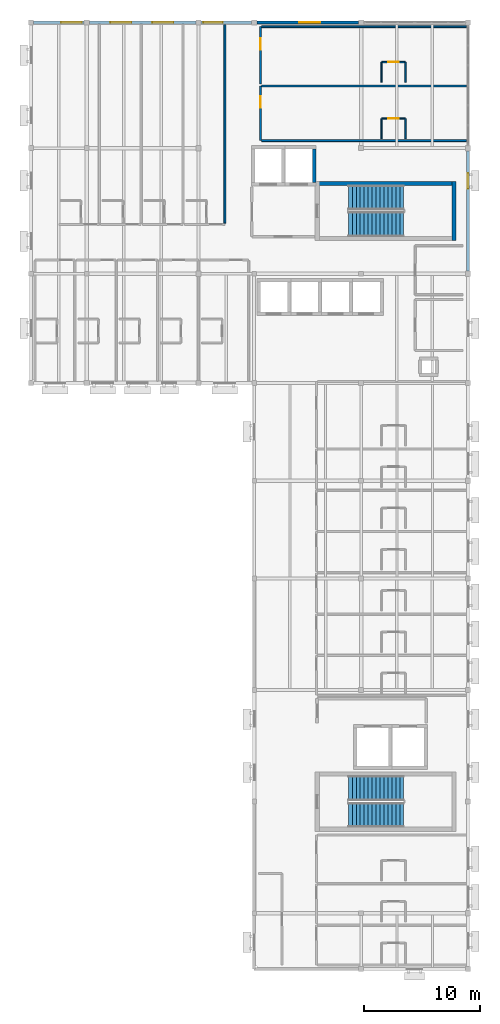
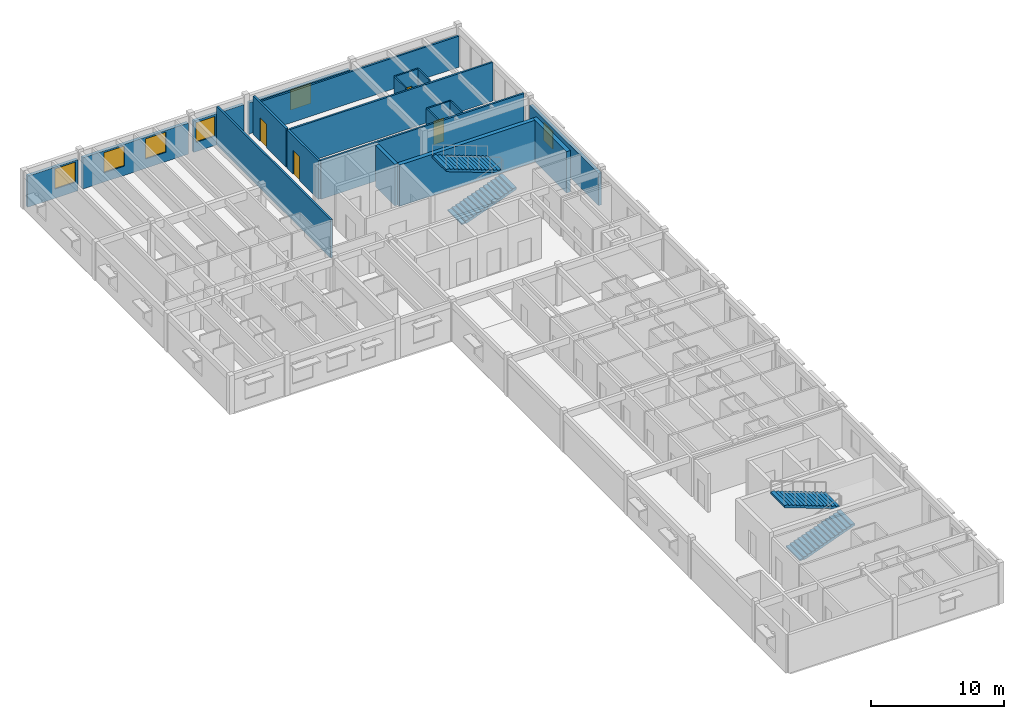
# One storey, part 10 of 14: 20 walls, 6 windows, 4 doors, 4 stair flights, 10 openings, 2 elements without a shape of their own.
"""IFC4 building model written with IfcOpenShell, lengths in metres."""

from ifc_helpers import new_model, si_unit, direction, frame, frame_2d, origin, place, context, subcontext, project, spatial, polyline, rectangle, outline, extrude, material, layer, layer_set, type_object, element, fill, aggregate, save


model = new_model("IFC4")

# Units and contexts
model_context = context("Model", 3, precision=1e-05, world=origin(), true_north=direction((0.0, 1.0)))
body_context = subcontext(model_context, "Body", "Model", "MODEL_VIEW")
ifc_project = project(units=[si_unit("LENGTHUNIT", "METRE"), si_unit("AREAUNIT", "SQUARE_METRE"), si_unit("VOLUMEUNIT", "CUBIC_METRE"), si_unit("PLANEANGLEUNIT", "RADIAN"), si_unit("MASSUNIT", "GRAM", prefix="KILO")], contexts=[model_context])

# Site, building, storey
site_placement = place(None, origin())
site = spatial("IfcSite", under=ifc_project, at=site_placement, CompositionType="ELEMENT")
building_placement = place(site_placement, origin())
building = spatial("IfcBuilding", under=site, at=building_placement, Name="Veldera Park Congress Hotel", CompositionType="ELEMENT")
storey_placement = place(building_placement, frame((0.0, 0.0, 42.800048828125)))
storey = spatial("IfcBuildingStorey", under=building, at=storey_placement, Name="L10", CompositionType="ELEMENT", Elevation=42.800048828125)

# Wall, opening, window
ifc_material_1 = material(Name="Cross-laminated timber CLT V2M1.1", Category="wood")
ifc_layer_1 = layer(ifc_material_1, 0.264892578125)
ifc_layer_set_1 = layer_set([ifc_layer_1], Name="Cross-laminated timber CLT V2M1.1")
wall_type_1 = type_object("IfcWallType", Name="EW-CLT265", PredefinedType="STANDARD", material=ifc_layer_set_1)
wall_1_placement = place(storey_placement, frame((84.0, 36.623046875, 0.0), z_axis=(0.0, 0.0, 1.0), x_axis=(0.0, 1.0, 0.0)))
wall_1 = element("IfcWall", 1, at=wall_1_placement, inside=storey, type_object=wall_type_1, Name="L10 Exterior Wall EW3-L10-0432", PredefinedType="STANDARD", context=body_context, shape_type="SweptSolid", body=[
    extrude(rectangle(XDim=10.35400390625, YDim=0.264892578125, at=frame_2d((5.177001953125, 0.0))), origin(), (0.0, 0.0, 1.0), 2.954833984375),
])
opening_1_placement = place(wall_1_placement, frame((7.090576171875, 0.0, 0.85009765625)))
opening_1 = element("IfcOpeningElement", 2, at=opening_1_placement, cuts=wall_1, Name="Opening WIN-1350", PredefinedType="OPENING", context=body_context, shape_type="SweptSolid", body=[
    extrude(rectangle(XDim=1.35009765625, YDim=1.64990234375, at=frame_2d((0.675048828125, 0.824951171875))), frame((0.0, 0.14453125, 0.0), z_axis=(0.0, -1.0, 0.0), x_axis=(1.0, 0.0, 0.0)), (0.0, 0.0, 1.0), 0.288818359375),
])
ifc_material_2 = material(Name="Low-E Triple Insulating Glass Unit (SHGC 0.22)", Category="glass")
window_type_1 = type_object("IfcWindowType", Name="WIN-1350", PartitioningType="SINGLE_PANEL", PredefinedType="WINDOW", material=ifc_material_2)
window_1_placement = place(opening_1_placement, origin())
window_1 = element("IfcWindow", 3, at=window_1_placement, inside=storey, type_object=window_type_1, Name="L10 Window WIN-1350 332", OverallHeight=1.64990234375, OverallWidth=1.35009765625, PartitioningType="SINGLE_PANEL", PredefinedType="WINDOW", context=body_context, shape_type="SweptSolid", body=[
    extrude(rectangle(XDim=1.35009765625, YDim=1.64990234375, at=frame_2d((0.675048828125, 0.824951171875))), frame((0.0, 0.030029296875, 0.0), z_axis=(0.0, -1.0, 0.0), x_axis=(1.0, 0.0, 0.0)), (0.0, 0.0, 1.0), 0.06005859375),
])
fill(opening_1, window_1)

wall_2_placement = place(storey_placement, frame((74.576904296875, 58.0, 0.0), z_axis=(0.0, 0.0, 1.0), x_axis=(-1.0, 0.0, 0.0)))
wall_2 = element("IfcWall", 4, at=wall_2_placement, inside=storey, type_object=wall_type_1, Name="L10 Exterior Wall EW3-L10-0433", PredefinedType="STANDARD", context=body_context, shape_type="SweptSolid", body=[
    extrude(rectangle(XDim=8.75390625, YDim=0.264892578125, at=frame_2d((4.376953125, 0.0))), origin(), (0.0, 0.0, 1.0), 2.85498046875),
])
opening_2_placement = place(wall_2_placement, frame((3.3134765625, 0.0, 0.85009765625)))
opening_2 = element("IfcOpeningElement", 5, at=opening_2_placement, cuts=wall_2, Name="Opening WIN-1800", PredefinedType="OPENING", context=body_context, shape_type="SweptSolid", body=[
    extrude(rectangle(XDim=1.800048828125, YDim=1.85009765625, at=frame_2d((0.89990234375, 0.925048828125))), frame((0.0, 0.14453125, 0.0), z_axis=(0.0, -1.0, 0.0), x_axis=(1.0, 0.0, 0.0)), (0.0, 0.0, 1.0), 0.288818359375),
])
window_type_2 = type_object("IfcWindowType", Name="WIN-1800", PartitioningType="SINGLE_PANEL", PredefinedType="WINDOW", material=ifc_material_2)
window_2_placement = place(opening_2_placement, origin())
window_2 = element("IfcWindow", 6, at=window_2_placement, inside=storey, type_object=window_type_2, Name="L10 Window WIN-1800 591", OverallHeight=1.85009765625, OverallWidth=1.800048828125, PartitioningType="SINGLE_PANEL", PredefinedType="WINDOW", context=body_context, shape_type="SweptSolid", body=[
    extrude(rectangle(XDim=1.800048828125, YDim=1.85009765625, at=frame_2d((0.89990234375, 0.925048828125))), frame((0.0, 0.030029296875, 0.0), z_axis=(0.0, -1.0, 0.0), x_axis=(1.0, 0.0, 0.0)), (0.0, 0.0, 1.0), 0.06005859375),
])
fill(opening_2, window_2)

wall_3_placement = place(storey_placement, frame((65.376953125, 58.0, 0.0), z_axis=(0.0, 0.0, 1.0), x_axis=(-1.0, 0.0, 0.0)))
wall_3 = element("IfcWall", 7, at=wall_3_placement, inside=storey, type_object=wall_type_1, Name="L10 Exterior Wall EW3-L10-0434", PredefinedType="STANDARD", context=body_context, shape_type="SweptSolid", body=[
    extrude(rectangle(XDim=4.35400390625, YDim=0.264892578125, at=frame_2d((2.177001953125, 0.0))), origin(), (0.0, 0.0, 1.0), 2.85498046875),
])
opening_3_placement = place(wall_3_placement, frame((2.50048828125, 0.0, 0.85009765625)))
opening_3 = element("IfcOpeningElement", 8, at=opening_3_placement, cuts=wall_3, Name="Opening WIN-1650", PredefinedType="OPENING", context=body_context, shape_type="SweptSolid", body=[
    extrude(rectangle(XDim=1.64990234375, YDim=1.800048828125, at=frame_2d((0.824951171875, 0.89990234375))), frame((0.0, 0.14453125, 0.0), z_axis=(0.0, -1.0, 0.0), x_axis=(1.0, 0.0, 0.0)), (0.0, 0.0, 1.0), 0.288818359375),
])
window_type_3 = type_object("IfcWindowType", Name="WIN-1650", PartitioningType="SINGLE_PANEL", PredefinedType="WINDOW", material=ifc_material_2)
window_3_placement = place(opening_3_placement, origin())
window_3 = element("IfcWindow", 9, at=window_3_placement, inside=storey, type_object=window_type_3, Name="L10 Window WIN-1650 595", OverallHeight=1.800048828125, OverallWidth=1.64990234375, PartitioningType="SINGLE_PANEL", PredefinedType="WINDOW", context=body_context, shape_type="SweptSolid", body=[
    extrude(rectangle(XDim=1.64990234375, YDim=1.800048828125, at=frame_2d((0.824951171875, 0.89990234375))), frame((0.0, 0.030029296875, 0.0), z_axis=(0.0, -1.0, 0.0), x_axis=(1.0, 0.0, 0.0)), (0.0, 0.0, 1.0), 0.06005859375),
])
fill(opening_3, window_3)

# Wall, openings, windows
wall_4_placement = place(storey_placement, frame((60.576904296875, 58.0, 0.0), z_axis=(0.0, 0.0, 1.0), x_axis=(-1.0, 0.0, 0.0)))
wall_4 = element("IfcWall", 10, at=wall_4_placement, inside=storey, type_object=wall_type_1, Name="L10 Exterior Wall EW3-L10-0435", PredefinedType="STANDARD", context=body_context, shape_type="SweptSolid", body=[
    extrude(rectangle(XDim=9.15380859375, YDim=0.264892578125, at=frame_2d((4.576904296875, 0.0))), origin(), (0.0, 0.0, 1.0), 2.85498046875),
])
opening_4_placement = place(wall_4_placement, frame((5.537109375, 0.0, 0.85009765625)))
opening_4 = element("IfcOpeningElement", 11, at=opening_4_placement, cuts=wall_4, Name="Opening WIN-1800", PredefinedType="OPENING", context=body_context, shape_type="SweptSolid", body=[
    extrude(rectangle(XDim=1.800048828125, YDim=1.85009765625, at=frame_2d((0.89990234375, 0.925048828125))), frame((0.0, 0.14453125, 0.0), z_axis=(0.0, -1.0, 0.0), x_axis=(1.0, 0.0, 0.0)), (0.0, 0.0, 1.0), 0.288818359375),
])
opening_5_placement = place(wall_4_placement, frame((1.93701171875, 0.0, 0.85009765625)))
opening_5 = element("IfcOpeningElement", 12, at=opening_5_placement, cuts=wall_4, Name="Opening WIN-1800", PredefinedType="OPENING", context=body_context, shape_type="SweptSolid", body=[
    extrude(rectangle(XDim=1.800048828125, YDim=1.85009765625, at=frame_2d((0.89990234375, 0.925048828125))), frame((0.0, 0.14453125, 0.0), z_axis=(0.0, -1.0, 0.0), x_axis=(1.0, 0.0, 0.0)), (0.0, 0.0, 1.0), 0.288818359375),
])
window_4_placement = place(opening_4_placement, origin())
window_4 = element("IfcWindow", 13, at=window_4_placement, inside=storey, type_object=window_type_2, Name="L10 Window WIN-1800 593", OverallHeight=1.85009765625, OverallWidth=1.800048828125, PartitioningType="SINGLE_PANEL", PredefinedType="WINDOW", context=body_context, shape_type="SweptSolid", body=[
    extrude(rectangle(XDim=1.800048828125, YDim=1.85009765625, at=frame_2d((0.89990234375, 0.925048828125))), frame((0.0, 0.030029296875, 0.0), z_axis=(0.0, -1.0, 0.0), x_axis=(1.0, 0.0, 0.0)), (0.0, 0.0, 1.0), 0.06005859375),
])
fill(opening_4, window_4)
window_5_placement = place(opening_5_placement, origin())
window_5 = element("IfcWindow", 14, at=window_5_placement, inside=storey, type_object=window_type_2, Name="L10 Window WIN-1800 594", OverallHeight=1.85009765625, OverallWidth=1.800048828125, PartitioningType="SINGLE_PANEL", PredefinedType="WINDOW", context=body_context, shape_type="SweptSolid", body=[
    extrude(rectangle(XDim=1.800048828125, YDim=1.85009765625, at=frame_2d((0.89990234375, 0.925048828125))), frame((0.0, 0.030029296875, 0.0), z_axis=(0.0, -1.0, 0.0), x_axis=(1.0, 0.0, 0.0)), (0.0, 0.0, 1.0), 0.06005859375),
])
fill(opening_5, window_5)

# Wall, opening, window
wall_5_placement = place(storey_placement, frame((50.97705078125, 58.0, 0.0), z_axis=(0.0, 0.0, 1.0), x_axis=(-1.0, 0.0, 0.0)))
wall_5 = element("IfcWall", 15, at=wall_5_placement, inside=storey, type_object=wall_type_1, Name="L10 Exterior Wall EW3-L10-0436", PredefinedType="STANDARD", context=body_context, shape_type="SweptSolid", body=[
    extrude(rectangle(XDim=4.35400390625, YDim=0.264892578125, at=frame_2d((2.177001953125, 0.0))), origin(), (0.0, 0.0, 1.0), 2.85498046875),
])
opening_6_placement = place(wall_5_placement, frame((0.1884765625, 0.0, 0.85009765625)))
opening_6 = element("IfcOpeningElement", 16, at=opening_6_placement, cuts=wall_5, Name="Opening WIN-1800", PredefinedType="OPENING", context=body_context, shape_type="SweptSolid", body=[
    extrude(rectangle(XDim=1.800048828125, YDim=1.85009765625, at=frame_2d((0.89990234375, 0.925048828125))), frame((0.0, 0.14453125, 0.0), z_axis=(0.0, -1.0, 0.0), x_axis=(1.0, 0.0, 0.0)), (0.0, 0.0, 1.0), 0.288818359375),
])
window_6_placement = place(opening_6_placement, origin())
window_6 = element("IfcWindow", 17, at=window_6_placement, inside=storey, type_object=window_type_2, Name="L10 Window WIN-1800 592", OverallHeight=1.85009765625, OverallWidth=1.800048828125, PartitioningType="SINGLE_PANEL", PredefinedType="WINDOW", context=body_context, shape_type="SweptSolid", body=[
    extrude(rectangle(XDim=1.800048828125, YDim=1.85009765625, at=frame_2d((0.89990234375, 0.925048828125))), frame((0.0, 0.030029296875, 0.0), z_axis=(0.0, -1.0, 0.0), x_axis=(1.0, 0.0, 0.0)), (0.0, 0.0, 1.0), 0.06005859375),
])
fill(opening_6, window_6)

# Walls
ifc_material_3 = material(Name="Fire-Rated Gypsum Board on Cold-Formed Steel Studs", Category="steel")
ifc_layer_2 = layer(ifc_material_3, 0.1201171875)
ifc_layer_set_2 = layer_set([ifc_layer_2], Name="Fire-Rated Gypsum Board on Cold-Formed Steel Studs")
wall_type_2 = type_object("IfcWallType", Name="IW-BATH120", PredefinedType="PARTITIONING", material=ifc_layer_set_2)
for number, where, z_axis, x_axis, name in (
    (18, (76.550048828125, 48.0, 0.0), (0.0, 0.0, 1.0), (0.0, 1.0, 0.0), "L10 Partition Wall IW3-L10-01769"),
    (19, (78.60009765625, 48.0, 0.0), (0.0, 0.0, 1.0), (0.0, 1.0, 0.0), "L10 Partition Wall IW3-L10-01770"),
):
    element("IfcWall", number, at=place(storey_placement, frame(where, z_axis=z_axis, x_axis=x_axis)), inside=storey, type_object=wall_type_2, Name=name, PredefinedType="PARTITIONING", context=body_context, shape_type="SweptSolid", body=[
        extrude(rectangle(XDim=1.75, YDim=0.1201171875, at=frame_2d((0.875, 0.0))), origin(), (0.0, 0.0, 1.0), 3.5400390625),
    ])

# Wall, opening, door
wall_6_placement = place(storey_placement, frame((76.550048828125, 49.75, 0.0), z_axis=(0.0, 0.0, 1.0), x_axis=(1.0, 0.0, 0.0)))
wall_6 = element("IfcWall", 20, at=wall_6_placement, inside=storey, type_object=wall_type_2, Name="L10 Partition Wall IW3-L10-01771", PredefinedType="PARTITIONING", context=body_context, shape_type="SweptSolid", body=[
    extrude(rectangle(XDim=2.050048828125, YDim=0.1201171875, at=frame_2d((1.02490234375, 0.0))), origin(), (0.0, 0.0, 1.0), 3.5400390625),
])
opening_7_placement = place(wall_6_placement, frame((0.574951171875, 0.0, 0.0)))
opening_7 = element("IfcOpeningElement", 21, at=opening_7_placement, cuts=wall_6, Name="Opening ID-BATH090", PredefinedType="OPENING", context=body_context, shape_type="SweptSolid", body=[
    extrude(rectangle(XDim=0.89990234375, YDim=2.14990234375, at=frame_2d((0.449951171875, 1.074951171875))), frame((0.0, 0.072021484375, 0.0), z_axis=(0.0, -1.0, 0.0), x_axis=(1.0, 0.0, 0.0)), (0.0, 0.0, 1.0), 0.14404296875),
])
ifc_material_4 = material(Name="Solid Core White Oak Architectural Door", Category="wood")
door_type_1 = type_object("IfcDoorType", Name="ID-BATH090", OperationType="NOTDEFINED", PredefinedType="DOOR", material=ifc_material_4)
door_1_placement = place(opening_7_placement, origin())
door_1 = element("IfcDoor", 22, at=door_1_placement, inside=storey, type_object=door_type_1, Name="L10 En-suite 293 Door ID3-L10-0725 (DR3-ID3-L10-0725)", OperationType="SINGLE_SWING_LEFT", OverallHeight=2.14990234375, OverallWidth=0.89990234375, PredefinedType="DOOR", context=body_context, shape_type="SweptSolid", body=[
    extrude(rectangle(XDim=0.89990234375, YDim=2.14990234375, at=frame_2d((0.449951171875, 1.074951171875))), frame((0.0, 0.02490234375, 0.0), z_axis=(0.0, -1.0, 0.0), x_axis=(1.0, 0.0, 0.0)), (0.0, 0.0, 1.0), 0.050048828125),
])
fill(opening_7, door_1)

# Walls
for number, where, z_axis, x_axis, name in (
    (23, (76.550048828125, 52.85009765625, 0.0), (0.0, 0.0, 1.0), (0.0, 1.0, 0.0), "L10 Partition Wall IW3-L10-01774"),
    (24, (78.60009765625, 52.85009765625, 0.0), (0.0, 0.0, 1.0), (0.0, 1.0, 0.0), "L10 Partition Wall IW3-L10-01775"),
):
    element("IfcWall", number, at=place(storey_placement, frame(where, z_axis=z_axis, x_axis=x_axis)), inside=storey, type_object=wall_type_2, Name=name, PredefinedType="PARTITIONING", context=body_context, shape_type="SweptSolid", body=[
        extrude(rectangle(XDim=1.75, YDim=0.1201171875, at=frame_2d((0.875, 0.0))), origin(), (0.0, 0.0, 1.0), 3.5400390625),
    ])

# Wall, opening, door
wall_7_placement = place(storey_placement, frame((76.550048828125, 54.60009765625, 0.0), z_axis=(0.0, 0.0, 1.0), x_axis=(1.0, 0.0, 0.0)))
wall_7 = element("IfcWall", 25, at=wall_7_placement, inside=storey, type_object=wall_type_2, Name="L10 Partition Wall IW3-L10-01776", PredefinedType="PARTITIONING", context=body_context, shape_type="SweptSolid", body=[
    extrude(rectangle(XDim=2.050048828125, YDim=0.1201171875, at=frame_2d((1.02490234375, 0.0))), origin(), (0.0, 0.0, 1.0), 3.5400390625),
])
opening_8_placement = place(wall_7_placement, frame((0.574951171875, 0.0, 0.0)))
opening_8 = element("IfcOpeningElement", 26, at=opening_8_placement, cuts=wall_7, Name="Opening ID-BATH090", PredefinedType="OPENING", context=body_context, shape_type="SweptSolid", body=[
    extrude(rectangle(XDim=0.89990234375, YDim=2.14990234375, at=frame_2d((0.449951171875, 1.074951171875))), frame((0.0, 0.072021484375, 0.0), z_axis=(0.0, -1.0, 0.0), x_axis=(1.0, 0.0, 0.0)), (0.0, 0.0, 1.0), 0.14404296875),
])
door_2_placement = place(opening_8_placement, origin())
door_2 = element("IfcDoor", 27, at=door_2_placement, inside=storey, type_object=door_type_1, Name="L10 En-suite 294 Door ID3-L10-0727 (DR3-ID3-L10-0727)", OperationType="SINGLE_SWING_LEFT", OverallHeight=2.14990234375, OverallWidth=0.89990234375, PredefinedType="DOOR", context=body_context, shape_type="SweptSolid", body=[
    extrude(rectangle(XDim=0.89990234375, YDim=2.14990234375, at=frame_2d((0.449951171875, 1.074951171875))), frame((0.0, 0.02490234375, 0.0), z_axis=(0.0, -1.0, 0.0), x_axis=(1.0, 0.0, 0.0)), (0.0, 0.0, 1.0), 0.050048828125),
])
fill(opening_8, door_2)

ifc_layer_3 = layer(ifc_material_3, 0.179931640625)
ifc_layer_set_3 = layer_set([ifc_layer_3], Name="Fire-Rated Gypsum Board on Cold-Formed Steel Studs")
wall_type_3 = type_object("IfcWallType", Name="IW-CORR180", PredefinedType="PARTITIONING", material=ifc_layer_set_3)
wall_8_placement = place(storey_placement, frame((66.14990234375, 52.550048828125, 0.0), z_axis=(0.0, 0.0, 1.0), x_axis=(0.0, -1.0, 0.0)))
wall_8 = element("IfcWall", 28, at=wall_8_placement, inside=storey, type_object=wall_type_3, Name="L10 Corridor Wall IW3-L10-01766", PredefinedType="PARTITIONING", context=body_context, shape_type="SweptSolid", body=[
    extrude(rectangle(XDim=4.699951171875, YDim=0.179931640625, at=frame_2d((2.35009765625, 0.0))), origin(), (0.0, 0.0, 1.0), 3.5400390625),
])
opening_9_placement = place(wall_8_placement, frame((0.8798828125, 0.0, 0.0)))
opening_9 = element("IfcOpeningElement", 29, at=opening_9_placement, cuts=wall_8, Name="Opening ID-UNIT098", PredefinedType="OPENING", context=body_context, shape_type="SweptSolid", body=[
    extrude(rectangle(XDim=0.97998046875, YDim=2.179931640625, at=frame_2d((0.489990234375, 1.08984375))), frame((0.0, 0.10205078125, 0.0), z_axis=(0.0, -1.0, 0.0), x_axis=(1.0, 0.0, 0.0)), (0.0, 0.0, 1.0), 0.203857421875),
])
door_type_2 = type_object("IfcDoorType", Name="ID-UNIT098", OperationType="NOTDEFINED", PredefinedType="DOOR", material=ifc_material_4)
door_3_placement = place(opening_9_placement, origin())
door_3 = element("IfcDoor", 30, at=door_3_placement, inside=storey, type_object=door_type_2, Name="L10 Guestroom 293 Entry Door (DR3-UD3-L10-293)", OperationType="SINGLE_SWING_RIGHT", OverallHeight=2.179931640625, OverallWidth=0.97998046875, PredefinedType="DOOR", context=body_context, shape_type="SweptSolid", body=[
    extrude(rectangle(XDim=0.97998046875, YDim=2.179931640625, at=frame_2d((0.489990234375, 1.08984375))), frame((0.0, 0.02490234375, 0.0), z_axis=(0.0, -1.0, 0.0), x_axis=(1.0, 0.0, 0.0)), (0.0, 0.0, 1.0), 0.050048828125),
])
fill(opening_9, door_3)

wall_9_placement = place(storey_placement, frame((66.14990234375, 57.64990234375, 0.0), z_axis=(0.0, 0.0, 1.0), x_axis=(0.0, -1.0, 0.0)))
wall_9 = element("IfcWall", 31, at=wall_9_placement, inside=storey, type_object=wall_type_3, Name="L10 Corridor Wall IW3-L10-01772", PredefinedType="PARTITIONING", context=body_context, shape_type="SweptSolid", body=[
    extrude(rectangle(XDim=4.949951171875, YDim=0.179931640625, at=frame_2d((2.47509765625, 0.0))), origin(), (0.0, 0.0, 1.0), 3.5400390625),
])
opening_10_placement = place(wall_9_placement, frame((1.0048828125, 0.0, 0.0)))
opening_10 = element("IfcOpeningElement", 32, at=opening_10_placement, cuts=wall_9, Name="Opening ID-UNIT098", PredefinedType="OPENING", context=body_context, shape_type="SweptSolid", body=[
    extrude(rectangle(XDim=0.97998046875, YDim=2.179931640625, at=frame_2d((0.489990234375, 1.08984375))), frame((0.0, 0.10205078125, 0.0), z_axis=(0.0, -1.0, 0.0), x_axis=(1.0, 0.0, 0.0)), (0.0, 0.0, 1.0), 0.203857421875),
])
door_4_placement = place(opening_10_placement, origin())
door_4 = element("IfcDoor", 33, at=door_4_placement, inside=storey, type_object=door_type_2, Name="L10 Guestroom 294 Entry Door (DR3-UD3-L10-294)", OperationType="SINGLE_SWING_RIGHT", OverallHeight=2.179931640625, OverallWidth=0.97998046875, PredefinedType="DOOR", context=body_context, shape_type="SweptSolid", body=[
    extrude(rectangle(XDim=0.97998046875, YDim=2.179931640625, at=frame_2d((0.489990234375, 1.08984375))), frame((0.0, 0.02490234375, 0.0), z_axis=(0.0, -1.0, 0.0), x_axis=(1.0, 0.0, 0.0)), (0.0, 0.0, 1.0), 0.050048828125),
])
fill(opening_10, door_4)

# Walls
ifc_layer_4 = layer(ifc_material_1, 0.159912109375)
ifc_layer_set_4 = layer_set([ifc_layer_4], Name="Cross-laminated timber CLT V2M1.1")
wall_type_4 = type_object("IfcWallType", Name="IW-UNIT160", PredefinedType="PARTITIONING", material=ifc_layer_set_4)
for number, where, z_axis, x_axis, name in (
    (34, (66.25, 47.85009765625, 0.0), (0.0, 0.0, 1.0), (1.0, 0.0, 0.0), "L10 Partition Wall IW3-L10-01767"),
    (35, (66.25, 52.550048828125, 0.0), (0.0, 0.0, 1.0), (1.0, 0.0, 0.0), "L10 Partition Wall IW3-L10-01768"),
):
    element("IfcWall", number, at=place(storey_placement, frame(where, z_axis=z_axis, x_axis=x_axis)), inside=storey, type_object=wall_type_4, Name=name, PredefinedType="PARTITIONING", context=body_context, shape_type="SweptSolid", body=[
        extrude(rectangle(XDim=17.590087890625, YDim=0.159912109375, at=frame_2d((8.794921875, 0.0))), origin(), (0.0, 0.0, 1.0), 3.5400390625),
    ])
wall_10_placement = place(storey_placement, frame((66.25, 57.64990234375, 0.0), z_axis=(0.0, 0.0, 1.0), x_axis=(1.0, 0.0, 0.0)))
element("IfcWall", 36, at=wall_10_placement, inside=storey, type_object=wall_type_4, Name="L10 Partition Wall IW3-L10-01773", PredefinedType="PARTITIONING", context=body_context, shape_type="SweptSolid", body=[
    extrude(rectangle(XDim=17.590087890625, YDim=0.159912109375, at=frame_2d((8.794921875, 0.0))), origin(), (0.0, 0.0, 1.0), 2.85498046875),
])
wall_11_placement = place(storey_placement, frame((63.080078125, 40.75, 0.0), z_axis=(0.0, 0.0, 1.0), x_axis=(0.0, 1.0, 0.0)))
element("IfcWall", 37, at=wall_11_placement, inside=storey, type_object=wall_type_4, Name="L10 Partition Wall IW3-L10-01791", PredefinedType="PARTITIONING", context=body_context, shape_type="SweptSolid", body=[
    extrude(rectangle(XDim=17.090087890625, YDim=0.159912109375, at=frame_2d((8.544921875, 0.0))), origin(), (0.0, 0.0, 1.0), 3.5400390625),
])
ifc_material_5 = material(Name="Concrete f'c 40 MPa (5,800 psi)", Category="concrete")
ifc_layer_5 = layer(ifc_material_5, 0.35009765625)
ifc_layer_set_5 = layer_set([ifc_layer_5], Name="Concrete f'c 40 MPa (5,800 psi)")
wall_type_5 = type_object("IfcWallType", Name="SW-CORE350", PredefinedType="SHEAR", material=ifc_layer_set_5)
wall_12_placement = place(storey_placement, frame((82.77490234375, 39.25, 0.0), z_axis=(0.0, 0.0, 1.0), x_axis=(0.0, 1.0, 0.0)))
element("IfcWall", 38, at=wall_12_placement, inside=storey, type_object=wall_type_5, Name="Stair ST1 Core Wall L10-E", PredefinedType="SHEAR", context=body_context, shape_type="SweptSolid", body=[
    extrude(rectangle(XDim=5.10009765625, YDim=0.35009765625, at=frame_2d((2.550048828125, 0.0))), origin(), (0.0, 0.0, 1.0), 3.800048828125),
])
wall_13_placement = place(storey_placement, frame((82.949951171875, 44.175048828125, 0.0), z_axis=(0.0, 0.0, 1.0), x_axis=(-1.0, 0.0, 0.0)))
element("IfcWall", 39, at=wall_13_placement, inside=storey, type_object=wall_type_5, Name="Stair ST1 Core Wall L10-N", PredefinedType="SHEAR", context=body_context, shape_type="SweptSolid", body=[
    extrude(rectangle(XDim=12.099853515625, YDim=0.35009765625, at=frame_2d((6.0498046875, 0.0))), origin(), (0.0, 0.0, 1.0), 3.800048828125),
])
ifc_layer_6 = layer(ifc_material_5, 0.300048828125)
ifc_layer_set_6 = layer_set([ifc_layer_6], Name="Concrete f'c 40 MPa (5,800 psi)")
wall_type_6 = type_object("IfcWallType", Name="SW-SHFT300", PredefinedType="SHEAR", material=ifc_layer_set_6)
wall_14_placement = place(storey_placement, frame((70.75, 44.25, 0.0), z_axis=(0.0, 0.0, 1.0), x_axis=(0.0, 1.0, 0.0)))
element("IfcWall", 40, at=wall_14_placement, inside=storey, type_object=wall_type_6, Name="Lift FL-02 Shaft Wall L10-E", PredefinedType="SHEAR", context=body_context, shape_type="SweptSolid", body=[
    extrude(rectangle(XDim=2.89990234375, YDim=0.300048828125, at=frame_2d((1.449951171875, 0.0))), origin(), (0.0, 0.0, 1.0), 3.800048828125),
])

# Stair, stair flights
stair_type_1 = type_object("IfcStairType", Name="ST1", PredefinedType="HALF_TURN_STAIR", material=ifc_material_5)
stair_1_placement = place(storey_placement, origin())
stair_1 = element("IfcStair", 41, at=stair_1_placement, inside=storey, type_object=stair_type_1, Name="L10 Protected Exit Stair ST1", PredefinedType="HALF_TURN_STAIR")
stair_flight_type_1 = type_object("IfcStairFlightType", Name="SFL-ST1", PredefinedType="STRAIGHT", material=ifc_material_5)
stair_flight_1_placement = place(storey_placement, frame((73.699951171875, 40.64990234375, 0.0), z_axis=(0.0, 0.0, 1.0), x_axis=(1.0, 0.0, 0.0)))
stair_flight_1 = element("IfcStairFlight", 42, at=stair_flight_1_placement, type_object=stair_flight_type_1, Name="ST1 flight 1", NumberOfRisers=15, NumberOfTreads=14, PredefinedType="STRAIGHT", RiserHeight=0.126666667, TreadLength=0.34, context=body_context, shape_type="SweptSolid", body=[
    extrude(outline(polyline([(0.0, 0.0), (0.0, 0.126708984375), (0.340087890625, 0.126708984375), (0.340087890625, 0.25341796875), (0.679931640625, 0.25341796875), (0.679931640625, 0.3798828125), (1.02001953125, 0.3798828125), (1.02001953125, 0.506591796875), (1.360107421875, 0.506591796875), (1.360107421875, 0.63330078125), (1.699951171875, 0.63330078125), (1.699951171875, 0.760009765625), (2.0400390625, 0.760009765625), (2.0400390625, 0.88671875), (2.3798828125, 0.88671875), (2.3798828125, 1.013427734375), (2.719970703125, 1.013427734375), (2.719970703125, 1.139892578125), (3.06005859375, 1.139892578125), (3.06005859375, 1.2666015625), (3.39990234375, 1.2666015625), (3.39990234375, 1.393310546875), (3.739990234375, 1.393310546875), (3.739990234375, 1.52001953125), (4.080078125, 1.52001953125), (4.080078125, 1.646728515625), (4.419921875, 1.646728515625), (4.419921875, 1.7734375), (4.760009765625, 1.7734375), (4.760009765625, 1.89990234375), (4.760009765625, 1.89990234375), (4.760009765625, 1.581298828125), (0.515380859375, 0.0), (0.0, 0.0)])), frame((0.0, 1.050048828125, 0.0), z_axis=(0.0, -1.0, 0.0), x_axis=(1.0, 0.0, 0.0)), (0.0, 0.0, 1.0), 2.10009765625),
])
stair_flight_2_placement = place(storey_placement, frame((78.4599609375, 42.949951171875, 1.89990234375), z_axis=(0.0, 0.0, 1.0), x_axis=(-1.0, 0.0, 0.0)))
stair_flight_2 = element("IfcStairFlight", 43, at=stair_flight_2_placement, type_object=stair_flight_type_1, Name="ST1 flight 2", NumberOfRisers=15, NumberOfTreads=14, PredefinedType="STRAIGHT", RiserHeight=0.126666667, TreadLength=0.34, context=body_context, shape_type="SweptSolid", body=[
    extrude(outline(polyline([(0.0, 0.0), (0.0, 0.126708984375), (0.340087890625, 0.126708984375), (0.340087890625, 0.25341796875), (0.679931640625, 0.25341796875), (0.679931640625, 0.3798828125), (1.02001953125, 0.3798828125), (1.02001953125, 0.506591796875), (1.360107421875, 0.506591796875), (1.360107421875, 0.63330078125), (1.699951171875, 0.63330078125), (1.699951171875, 0.760009765625), (2.0400390625, 0.760009765625), (2.0400390625, 0.88671875), (2.3798828125, 0.88671875), (2.3798828125, 1.013427734375), (2.719970703125, 1.013427734375), (2.719970703125, 1.139892578125), (3.06005859375, 1.139892578125), (3.06005859375, 1.2666015625), (3.39990234375, 1.2666015625), (3.39990234375, 1.393310546875), (3.739990234375, 1.393310546875), (3.739990234375, 1.52001953125), (4.080078125, 1.52001953125), (4.080078125, 1.646728515625), (4.419921875, 1.646728515625), (4.419921875, 1.7734375), (4.760009765625, 1.7734375), (4.760009765625, 1.89990234375), (4.760009765625, 1.89990234375), (4.760009765625, 1.581298828125), (0.515380859375, 0.0), (0.0, 0.0)])), frame((0.0, 1.050048828125, 0.0), z_axis=(0.0, -1.0, 0.0), x_axis=(1.0, 0.0, 0.0)), (0.0, 0.0, 1.0), 2.10009765625),
])
aggregate(stair_1, [stair_flight_1, stair_flight_2])

stair_type_2 = type_object("IfcStairType", Name="ST2", PredefinedType="HALF_TURN_STAIR", material=ifc_material_5)
stair_2_placement = place(storey_placement, origin())
stair_2 = element("IfcStair", 44, at=stair_2_placement, inside=storey, type_object=stair_type_2, Name="L10 Protected Exit Stair ST2", PredefinedType="HALF_TURN_STAIR")
stair_flight_type_2 = type_object("IfcStairFlightType", Name="SFL-ST2", PredefinedType="STRAIGHT", material=ifc_material_5)
stair_flight_3_placement = place(storey_placement, frame((73.699951171875, -10.14990234375, 0.0), z_axis=(0.0, 0.0, 1.0), x_axis=(1.0, 0.0, 0.0)))
stair_flight_3 = element("IfcStairFlight", 45, at=stair_flight_3_placement, type_object=stair_flight_type_2, Name="ST2 flight 1", NumberOfRisers=15, NumberOfTreads=14, PredefinedType="STRAIGHT", RiserHeight=0.126666667, TreadLength=0.34, context=body_context, shape_type="SweptSolid", body=[
    extrude(outline(polyline([(0.0, 0.0), (0.0, 0.126708984375), (0.340087890625, 0.126708984375), (0.340087890625, 0.25341796875), (0.679931640625, 0.25341796875), (0.679931640625, 0.3798828125), (1.02001953125, 0.3798828125), (1.02001953125, 0.506591796875), (1.360107421875, 0.506591796875), (1.360107421875, 0.63330078125), (1.699951171875, 0.63330078125), (1.699951171875, 0.760009765625), (2.0400390625, 0.760009765625), (2.0400390625, 0.88671875), (2.3798828125, 0.88671875), (2.3798828125, 1.013427734375), (2.719970703125, 1.013427734375), (2.719970703125, 1.139892578125), (3.06005859375, 1.139892578125), (3.06005859375, 1.2666015625), (3.39990234375, 1.2666015625), (3.39990234375, 1.393310546875), (3.739990234375, 1.393310546875), (3.739990234375, 1.52001953125), (4.080078125, 1.52001953125), (4.080078125, 1.646728515625), (4.419921875, 1.646728515625), (4.419921875, 1.7734375), (4.760009765625, 1.7734375), (4.760009765625, 1.89990234375), (4.760009765625, 1.89990234375), (4.760009765625, 1.581298828125), (0.515380859375, 0.0), (0.0, 0.0)])), frame((0.0, 1.050048828125, 0.0), z_axis=(0.0, -1.0, 0.0), x_axis=(1.0, 0.0, 0.0)), (0.0, 0.0, 1.0), 2.10009765625),
])
stair_flight_4_placement = place(storey_placement, frame((78.4599609375, -7.85009765625, 1.89990234375), z_axis=(0.0, 0.0, 1.0), x_axis=(-1.0, 0.0, 0.0)))
stair_flight_4 = element("IfcStairFlight", 46, at=stair_flight_4_placement, type_object=stair_flight_type_2, Name="ST2 flight 2", NumberOfRisers=15, NumberOfTreads=14, PredefinedType="STRAIGHT", RiserHeight=0.126666667, TreadLength=0.34, context=body_context, shape_type="SweptSolid", body=[
    extrude(outline(polyline([(0.0, 0.0), (0.0, 0.126708984375), (0.340087890625, 0.126708984375), (0.340087890625, 0.25341796875), (0.679931640625, 0.25341796875), (0.679931640625, 0.3798828125), (1.02001953125, 0.3798828125), (1.02001953125, 0.506591796875), (1.360107421875, 0.506591796875), (1.360107421875, 0.63330078125), (1.699951171875, 0.63330078125), (1.699951171875, 0.760009765625), (2.0400390625, 0.760009765625), (2.0400390625, 0.88671875), (2.3798828125, 0.88671875), (2.3798828125, 1.013427734375), (2.719970703125, 1.013427734375), (2.719970703125, 1.139892578125), (3.06005859375, 1.139892578125), (3.06005859375, 1.2666015625), (3.39990234375, 1.2666015625), (3.39990234375, 1.393310546875), (3.739990234375, 1.393310546875), (3.739990234375, 1.52001953125), (4.080078125, 1.52001953125), (4.080078125, 1.646728515625), (4.419921875, 1.646728515625), (4.419921875, 1.7734375), (4.760009765625, 1.7734375), (4.760009765625, 1.89990234375), (4.760009765625, 1.89990234375), (4.760009765625, 1.581298828125), (0.515380859375, 0.0), (0.0, 0.0)])), frame((0.0, 1.050048828125, 0.0), z_axis=(0.0, -1.0, 0.0), x_axis=(1.0, 0.0, 0.0)), (0.0, 0.0, 1.0), 2.10009765625),
])
aggregate(stair_2, [stair_flight_3, stair_flight_4])

save(model, "model.ifc")
